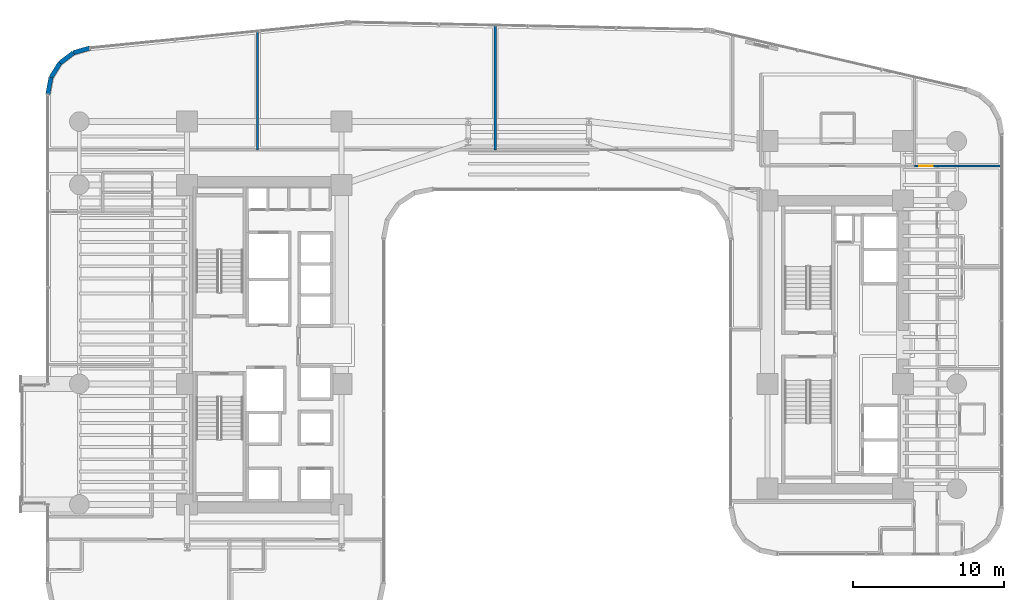
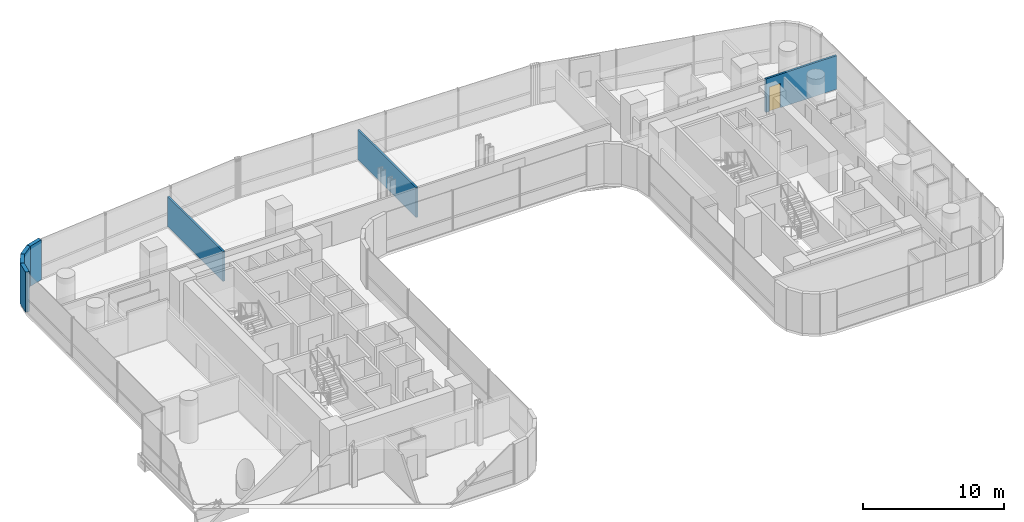
# One storey, part 34 of 41: 7 walls, 1 door, 1 opening.
"""IFC4 building model written with IfcOpenShell, lengths in metres."""

from ifc_helpers import new_model, si_unit, direction, frame, frame_2d, origin, place, context, subcontext, project, spatial, rectangle, extrude, material, layer, layer_set, type_object, element, fill, save


model = new_model("IFC4")

# Units and contexts
model_context = context("Model", 3, precision=1e-05, world=origin(), true_north=direction((0.0, 1.0)))
body_context = subcontext(model_context, "Body", "Model", "MODEL_VIEW")
ifc_project = project(units=[si_unit("LENGTHUNIT", "METRE"), si_unit("AREAUNIT", "SQUARE_METRE"), si_unit("VOLUMEUNIT", "CUBIC_METRE"), si_unit("PLANEANGLEUNIT", "RADIAN"), si_unit("MASSUNIT", "GRAM", prefix="KILO")], contexts=[model_context])

# Site, building, storey
site_placement = place(None, origin())
site = spatial("IfcSite", under=ifc_project, at=site_placement, CompositionType="ELEMENT")
building_placement = place(site_placement, origin())
building = spatial("IfcBuilding", under=site, at=building_placement, Name="Valdorenza Pilgrim Sanctuary Tower", CompositionType="ELEMENT")
storey_placement = place(building_placement, frame((0.0, 0.0, 63.0)))
storey = spatial("IfcBuildingStorey", under=building, at=storey_placement, Name="L15", CompositionType="ELEMENT", Elevation=63.0)

# Wall, opening, door
ifc_material_1 = material(Name="Acoustic twin-stud gypsum partition", Category="gypsum")
ifc_layer_1 = layer(ifc_material_1, 0.159912109375, Name="Acoustic twin-stud gypsum partition")
ifc_layer_set_1 = layer_set([ifc_layer_1], Name="Acoustic twin-stud gypsum partition")
wall_type_1 = type_object("IfcWallType", Name="WAL-COR-160", PredefinedType="PARTITIONING", material=ifc_layer_set_1)
wall_1_placement = place(storey_placement, frame((25.60009765625, 11.85009765625, 0.0), z_axis=(0.0, 0.0, 1.0), x_axis=(1.0, 0.0, 0.0)))
wall_1 = element("IfcWall", 1, at=wall_1_placement, inside=storey, type_object=wall_type_1, Name="L15 East Wing NE Corner South Wall", PredefinedType="PARTITIONING", context=body_context, shape_type="SweptSolid", body=[
    extrude(rectangle(XDim=5.789794921875, YDim=0.159912109375, at=frame_2d((2.89501953125, 0.0))), origin(), (0.0, 0.0, 1.0), 2.89599609375),
])
opening_placement = place(wall_1_placement, frame((0.300048828125, 0.0, 0.0)))
opening = element("IfcOpeningElement", 2, at=opening_placement, cuts=wall_1, Name="Opening DR-RM1", PredefinedType="OPENING", context=body_context, shape_type="SweptSolid", body=[
    extrude(rectangle(XDim=0.89990234375, YDim=2.10009765625, at=frame_2d((0.449951171875, 1.050048828125))), frame((0.0, 0.0947265625, 0.0), z_axis=(0.0, -1.0, 0.0), x_axis=(1.0, 0.0, 0.0)), (0.0, 0.0, 1.0), 0.189697265625),
])
ifc_material_2 = material(Name="Solid-core European oak timber", Category="wood")
door_type = type_object("IfcDoorType", Name="DR-ROOM-900", OperationType="NOTDEFINED", PredefinedType="DOOR", material=ifc_material_2)
door_placement = place(opening_placement, origin())
door = element("IfcDoor", 3, at=door_placement, inside=storey, type_object=door_type, Name="L15 East North Alcove Office L15 Door", OperationType="SINGLE_SWING_LEFT", OverallHeight=2.10009765625, OverallWidth=0.89990234375, PredefinedType="DOOR", context=body_context, shape_type="SweptSolid", body=[
    extrude(rectangle(XDim=0.89990234375, YDim=2.10009765625, at=frame_2d((0.449951171875, 1.050048828125))), frame((0.0, 0.02490234375, 0.0), z_axis=(0.0, -1.0, 0.0), x_axis=(1.0, 0.0, 0.0)), (0.0, 0.0, 1.0), 0.050048828125),
])
fill(opening, door)

# Walls
ifc_material_3 = material(Name="Honed travertine limestone", Category="masonry")
ifc_layer_2 = layer(ifc_material_3, 0.300048828125, Name="Honed travertine limestone")
ifc_layer_set_2 = layer_set([ifc_layer_2], Name="Honed travertine limestone")
wall_type_2 = type_object("IfcWallType", Name="WAL-EXT-300", PredefinedType="SOLIDWALL", material=ifc_layer_set_2)
wall_2_placement = place(storey_placement, frame((-31.889892578125, 16.593994140625, 0.0), z_axis=(0.0, 0.0, 1.0), x_axis=(0.182748995683, 0.9831596028, 0.0)))
element("IfcWall", 4, at=wall_2_placement, inside=storey, type_object=wall_type_2, Name="L15 Rounded Wind-Corner Stone Pier 2", PredefinedType="SOLIDWALL", context=body_context, shape_type="SweptSolid", body=[
    extrude(rectangle(XDim=1.1396484375, YDim=0.300048828125, at=frame_2d((0.56982421875, 0.0))), origin(), (0.0, 0.0, 1.0), 3.4599609375),
])
wall_3_placement = place(storey_placement, frame((-31.681640625, 17.71435546875, 0.0), z_axis=(0.0, 0.0, 1.0), x_axis=(0.524157723014, 0.8516212077, 0.0)))
element("IfcWall", 5, at=wall_3_placement, inside=storey, type_object=wall_type_2, Name="L15 Rounded Wind-Corner Stone Pier 3", PredefinedType="SOLIDWALL", context=body_context, shape_type="SweptSolid", body=[
    extrude(rectangle(XDim=1.12939453125, YDim=0.300048828125, at=frame_2d((0.564697265625, 0.0))), origin(), (0.0, 0.0, 1.0), 3.4599609375),
])
wall_4_placement = place(storey_placement, frame((-31.089599609375, 18.67626953125, 0.0), z_axis=(0.0, 0.0, 1.0), x_axis=(0.795253002434, 0.606277710393, 0.0)))
element("IfcWall", 6, at=wall_4_placement, inside=storey, type_object=wall_type_2, Name="L15 Rounded Wind-Corner Stone Pier 4", PredefinedType="SOLIDWALL", context=body_context, shape_type="SweptSolid", body=[
    extrude(rectangle(XDim=1.129150390625, YDim=0.300048828125, at=frame_2d((0.564453125, 0.0))), origin(), (0.0, 0.0, 1.0), 3.4599609375),
])
wall_5_placement = place(storey_placement, frame((-30.191650390625, 19.36083984375, 0.0), z_axis=(0.0, 0.0, 1.0), x_axis=(0.960071941549, 0.279753225271, 0.0)))
element("IfcWall", 7, at=wall_5_placement, inside=storey, type_object=wall_type_2, Name="L15 Rounded Wind-Corner Stone Pier 5", PredefinedType="SOLIDWALL", context=body_context, shape_type="SweptSolid", body=[
    extrude(rectangle(XDim=1.1396484375, YDim=0.300048828125, at=frame_2d((0.56982421875, 0.0))), origin(), (0.0, 0.0, 1.0), 3.4599609375),
])
ifc_layer_3 = layer(ifc_material_1, 0.14990234375, Name="Acoustic twin-stud gypsum partition")
ifc_layer_set_3 = layer_set([ifc_layer_3], Name="Acoustic twin-stud gypsum partition")
wall_type_3 = type_object("IfcWallType", Name="WAL-UNT-150", PredefinedType="PARTITIONING", material=ifc_layer_set_3)
wall_6_placement = place(storey_placement, frame((-17.976806640625, 12.919921875, 0.0), z_axis=(0.0, 0.0, 1.0), x_axis=(0.0, 1.0, 0.0)))
element("IfcWall", 8, at=wall_6_placement, inside=storey, type_object=wall_type_3, Name="L15 Sacred Art Exhibition Gallery L15-NG2 Demising Wall", PredefinedType="PARTITIONING", context=body_context, shape_type="SweptSolid", body=[
    extrude(rectangle(XDim=7.871826171875, YDim=0.14990234375, at=frame_2d((3.93603515625, 0.0))), origin(), (0.0, 0.0, 1.0), 2.5830078125),
])
wall_7_placement = place(storey_placement, frame((-2.21337890625, 12.919921875, 0.0), z_axis=(0.0, 0.0, 1.0), x_axis=(0.0, 1.0, 0.0)))
element("IfcWall", 9, at=wall_7_placement, inside=storey, type_object=wall_type_3, Name="L15 Sacred Art Exhibition Gallery L15-NG3 Demising Wall", PredefinedType="PARTITIONING", context=body_context, shape_type="SweptSolid", body=[
    extrude(rectangle(XDim=8.26611328125, YDim=0.14990234375, at=frame_2d((4.133056640625, 0.0))), origin(), (0.0, 0.0, 1.0), 2.5830078125),
])

save(model, "model.ifc")
